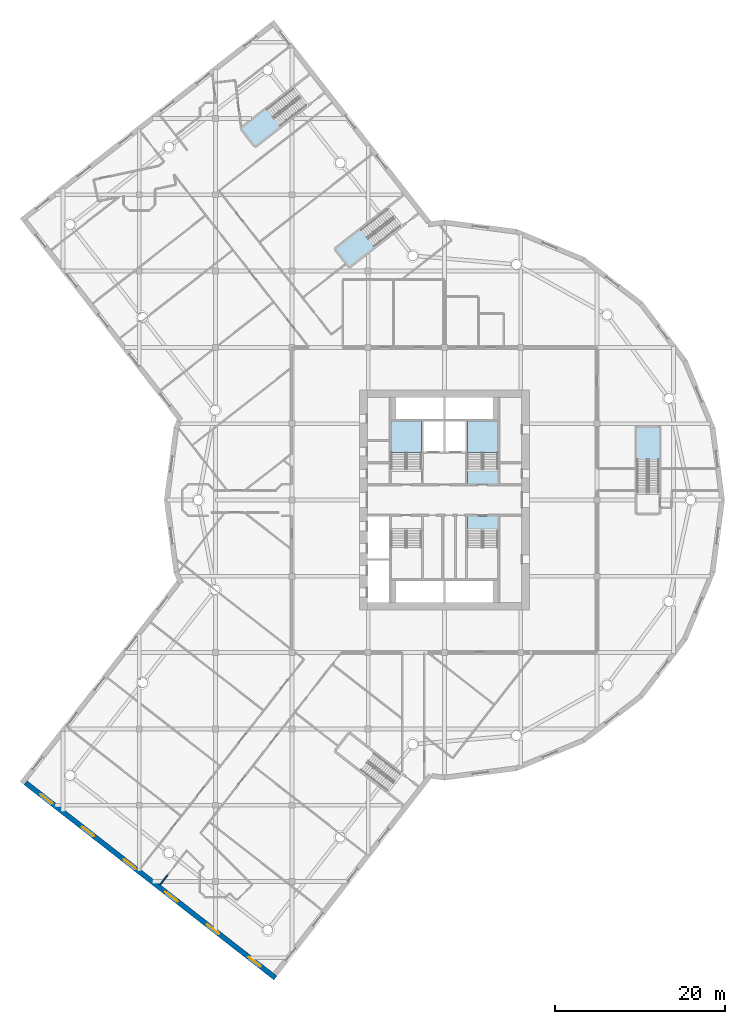
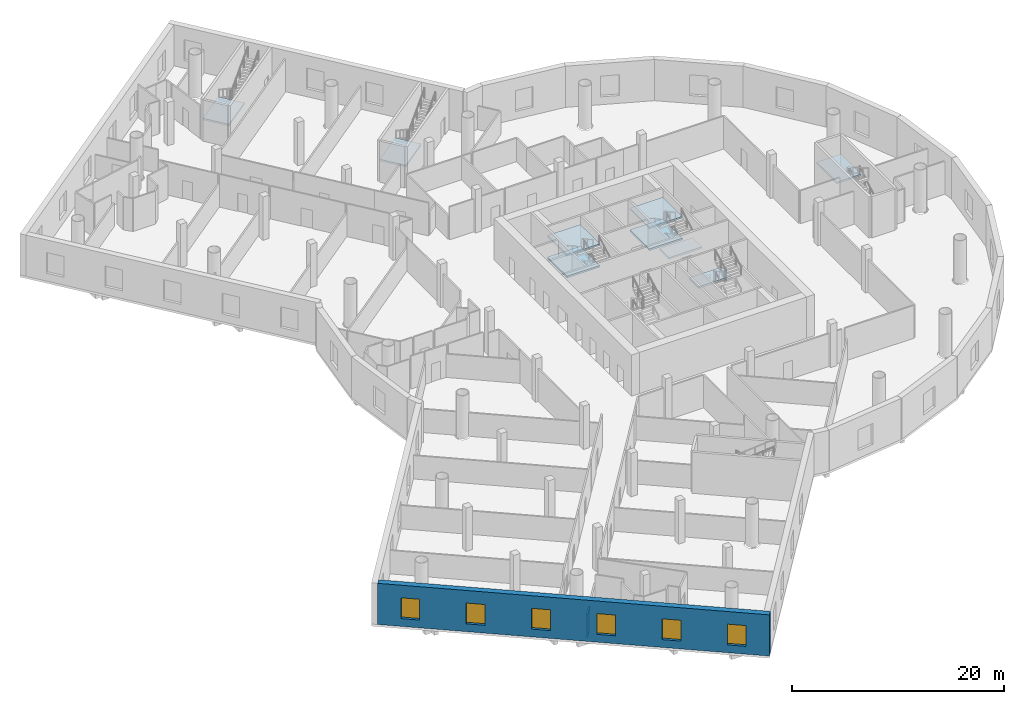
# One storey, part 4 of 22: 9 slabs, 6 windows, 2 walls, 6 openings, 6 elements without a shape of their own.
"""IFC4 building model written with IfcOpenShell, lengths in metres."""

from ifc_helpers import new_model, si_unit, direction, frame, frame_2d, origin, place, context, subcontext, project, spatial, polyline, rectangle, outline, extrude, material, layer, layer_set, type_object, element, fill, aggregate, save


model = new_model("IFC4")

# Units and contexts
model_context = context("Model", 3, precision=1e-05, world=origin(), true_north=direction((0.0, 1.0)))
body_context = subcontext(model_context, "Body", "Model", "MODEL_VIEW")
ifc_project = project(units=[si_unit("LENGTHUNIT", "METRE"), si_unit("AREAUNIT", "SQUARE_METRE"), si_unit("VOLUMEUNIT", "CUBIC_METRE"), si_unit("PLANEANGLEUNIT", "RADIAN"), si_unit("MASSUNIT", "GRAM", prefix="KILO")], contexts=[model_context])

# Site, building, storey
site_placement = place(None, origin())
site = spatial("IfcSite", under=ifc_project, at=site_placement, CompositionType="ELEMENT")
building_placement = place(site_placement, origin())
building = spatial("IfcBuilding", under=site, at=building_placement, Name="Tarsis Ring Headquarters", CompositionType="ELEMENT")
storey_placement = place(building_placement, frame((0.0, 0.0, 25.0)))
storey = spatial("IfcBuildingStorey", under=building, at=storey_placement, Name="L04", CompositionType="ELEMENT", Elevation=25.0)

# Stair, slabs
ifc_material_1 = material(Name="Core stair 1760")
stair_type_1 = type_object("IfcStairType", Name="Core stair 1760", PredefinedType="HALF_TURN_STAIR", material=ifc_material_1)
stair_1_placement = place(storey_placement, origin())
stair_1 = element("IfcStair", 1, at=stair_1_placement, inside=storey, type_object=stair_type_1, Name="L04 Firefighting stair", PredefinedType="HALF_TURN_STAIR")
ifc_material_2 = material(Name="Concrete C40/50", Category="concrete")
ifc_layer_1 = layer(ifc_material_2, 0.199951171875)
ifc_layer_set_1 = layer_set([ifc_layer_1], Name="Core stair landing 200")
slab_type_1 = type_object("IfcSlabType", Name="Core stair landing 200", PredefinedType="LANDING", material=ifc_layer_set_1)
slab_1_placement = place(storey_placement, frame((0.0, 0.0, 1.050048828125)))
slab_1 = element("IfcSlab", 2, at=slab_1_placement, type_object=slab_type_1, Name="Stair ST1 landing 1", PredefinedType="LANDING", context=body_context, shape_type="SweptSolid", body=[
    extrude(outline(polyline([(-2.699951171875, 5.6201171875), (-2.699951171875, 9.300048828125), (-6.300048828125, 9.300048828125), (-6.300048828125, 5.6201171875), (-2.699951171875, 5.6201171875)])), origin(), (0.0, 0.0, 1.0), 0.199951171875),
])
slab_2_placement = place(storey_placement, frame((0.0, 0.0, 3.550048828125)))
slab_2 = element("IfcSlab", 3, at=slab_2_placement, type_object=slab_type_1, Name="Stair ST1 landing 3", PredefinedType="LANDING", context=body_context, shape_type="SweptSolid", body=[
    extrude(outline(polyline([(-2.699951171875, 5.6201171875), (-2.699951171875, 9.300048828125), (-6.300048828125, 9.300048828125), (-6.300048828125, 5.6201171875), (-2.699951171875, 5.6201171875)])), origin(), (0.0, 0.0, 1.0), 0.199951171875),
])
aggregate(stair_1, [slab_1, slab_2])

stair_2_placement = place(storey_placement, origin())
stair_2 = element("IfcStair", 4, at=stair_2_placement, inside=storey, type_object=stair_type_1, Name="L04 Exit stair B", PredefinedType="HALF_TURN_STAIR")
slab_3_placement = place(storey_placement, frame((0.0, 0.0, 1.050048828125)))
slab_3 = element("IfcSlab", 5, at=slab_3_placement, type_object=slab_type_1, Name="Stair ST2 landing 1", PredefinedType="LANDING", context=body_context, shape_type="SweptSolid", body=[
    extrude(outline(polyline([(6.300048828125, 5.6201171875), (6.300048828125, 9.300048828125), (2.699951171875, 9.300048828125), (2.699951171875, 5.6201171875), (6.300048828125, 5.6201171875)])), origin(), (0.0, 0.0, 1.0), 0.199951171875),
])
slab_4_placement = place(storey_placement, frame((0.0, 0.0, 2.300048828125)))
slab_4 = element("IfcSlab", 6, at=slab_4_placement, type_object=slab_type_1, Name="Stair ST2 landing 2", PredefinedType="LANDING", context=body_context, shape_type="SweptSolid", body=[
    extrude(outline(polyline([(6.300048828125, 1.89990234375), (6.300048828125, 3.659912109375), (2.699951171875, 3.659912109375), (2.699951171875, 1.89990234375), (6.300048828125, 1.89990234375)])), origin(), (0.0, 0.0, 1.0), 0.199951171875),
])
slab_5_placement = place(storey_placement, frame((0.0, 0.0, 3.550048828125)))
slab_5 = element("IfcSlab", 7, at=slab_5_placement, type_object=slab_type_1, Name="Stair ST2 landing 3", PredefinedType="LANDING", context=body_context, shape_type="SweptSolid", body=[
    extrude(outline(polyline([(6.300048828125, 5.6201171875), (6.300048828125, 9.300048828125), (2.699951171875, 9.300048828125), (2.699951171875, 5.6201171875), (6.300048828125, 5.6201171875)])), origin(), (0.0, 0.0, 1.0), 0.199951171875),
])
aggregate(stair_2, [slab_3, slab_4, slab_5])

# Stair, slab
stair_3_placement = place(storey_placement, origin())
stair_3 = element("IfcStair", 8, at=stair_3_placement, inside=storey, type_object=stair_type_1, Name="L04 Exit stair D", PredefinedType="HALF_TURN_STAIR")
slab_6_placement = place(storey_placement, frame((0.0, 0.0, 2.300048828125)))
slab_6 = element("IfcSlab", 9, at=slab_6_placement, type_object=slab_type_1, Name="Stair ST4 landing 2", PredefinedType="LANDING", context=body_context, shape_type="SweptSolid", body=[
    extrude(outline(polyline([(2.699951171875, -1.89990234375), (2.699951171875, -3.659912109375), (6.300048828125, -3.659912109375), (6.300048828125, -1.89990234375), (2.699951171875, -1.89990234375)])), origin(), (0.0, 0.0, 1.0), 0.199951171875),
])
aggregate(stair_3, [slab_6])

stair_type_2 = type_object("IfcStairType", Name="PO-ST", PredefinedType="HALF_TURN_STAIR", material=ifc_material_2)
stair_4_placement = place(storey_placement, origin())
stair_4 = element("IfcStair", 10, at=stair_4_placement, inside=storey, type_object=stair_type_2, Name="L04 Podium stair", PredefinedType="HALF_TURN_STAIR")
ifc_layer_2 = layer(ifc_material_2, 0.199951171875)
ifc_layer_set_2 = layer_set([ifc_layer_2], Name="PO-STL")
slab_type_2 = type_object("IfcSlabType", Name="PO-STL", PredefinedType="LANDING", material=ifc_layer_set_2)
slab_7_placement = place(storey_placement, frame((0.0, 0.0, 2.300048828125)))
slab_7 = element("IfcSlab", 11, at=slab_7_placement, type_object=slab_type_2, Name="Stair PS1 landing 1", PredefinedType="LANDING", context=body_context, shape_type="SweptSolid", body=[
    extrude(outline(polyline([(25.3349609375, 4.739990234375), (25.3349609375, 8.580078125), (22.6650390625, 8.580078125), (22.6650390625, 4.739990234375), (25.3349609375, 4.739990234375)])), origin(), (0.0, 0.0, 1.0), 0.199951171875),
])
aggregate(stair_4, [slab_7])

stair_5_placement = place(storey_placement, origin())
stair_5 = element("IfcStair", 12, at=stair_5_placement, inside=storey, type_object=stair_type_2, Name="L04 Podium stair", PredefinedType="HALF_TURN_STAIR")
slab_8_placement = place(storey_placement, frame((0.0, 0.0, 2.300048828125)))
slab_8 = element("IfcSlab", 13, at=slab_8_placement, type_object=slab_type_2, Name="Stair PS3 landing 1", PredefinedType="LANDING", context=body_context, shape_type="SweptSolid", body=[
    extrude(outline(polyline([(-9.836669921875, 31.978271484375), (-12.86376953125, 29.615234375), (-11.220703125, 27.5107421875), (-8.19384765625, 29.87353515625), (-9.836669921875, 31.978271484375)])), origin(), (0.0, 0.0, 1.0), 0.199951171875),
])
aggregate(stair_5, [slab_8])

stair_6_placement = place(storey_placement, origin())
stair_6 = element("IfcStair", 14, at=stair_6_placement, inside=storey, type_object=stair_type_2, Name="L04 Podium stair", PredefinedType="HALF_TURN_STAIR")
slab_9_placement = place(storey_placement, frame((0.0, 0.0, 2.300048828125)))
slab_9 = element("IfcSlab", 15, at=slab_9_placement, type_object=slab_type_2, Name="Stair PS4 landing 1", PredefinedType="LANDING", context=body_context, shape_type="SweptSolid", body=[
    extrude(outline(polyline([(-20.936767578125, 46.1982421875), (-23.963623046875, 43.83544921875), (-22.32080078125, 41.730712890625), (-19.293701171875, 44.093505859375), (-20.936767578125, 46.1982421875)])), origin(), (0.0, 0.0, 1.0), 0.199951171875),
])
aggregate(stair_6, [slab_9])

# Wall
ifc_material_3 = material(Name="Plasterboard partition")
ifc_layer_3 = layer(ifc_material_3, 0.14990234375)
ifc_layer_set_3 = layer_set([ifc_layer_3], Name="PO-PW150")
wall_type_1 = type_object("IfcWallType", Name="PO-PW150", PredefinedType="PARTITIONING", material=ifc_layer_set_3)
wall_1_placement = place(storey_placement, frame((-32.676513671875, -44.263671875, 0.0), z_axis=(0.0, 0.0, 1.0), x_axis=(-0.616805858005, -0.787115324162, 0.0)))
element("IfcWall", 16, at=wall_1_placement, inside=storey, type_object=wall_type_1, Name="L04 partition wall 126", PredefinedType="PARTITIONING", context=body_context, shape_type="SweptSolid", body=[
    extrude(rectangle(XDim=1.40185546875, YDim=0.14990234375, at=frame_2d((0.700927734375, 0.0))), origin(), (0.0, 0.0, 1.0), 2.699951171875),
])

# Wall, openings, windows
ifc_material_4 = material(Name="Concrete C60/75", Category="concrete")
ifc_layer_4 = layer(ifc_material_4, 0.60009765625)
ifc_layer_set_4 = layer_set([ifc_layer_4], Name="PO-W600")
wall_type_2 = type_object("IfcWallType", Name="PO-W600", PredefinedType="SOLIDWALL", material=ifc_layer_set_4)
wall_2_placement = place(storey_placement, frame((-49.407470703125, -33.35205078125, 0.0), z_axis=(0.0, 0.0, 1.0), x_axis=(0.788012893483, -0.615658736399, 0.0)))
wall_2 = element("IfcWall", 17, at=wall_2_placement, inside=storey, type_object=wall_type_2, Name="L04 external wall 7", PredefinedType="SOLIDWALL", context=body_context, shape_type="SweptSolid", body=[
    extrude(rectangle(XDim=37.39990234375, YDim=0.60009765625, at=frame_2d((18.699951171875, 0.0))), origin(), (0.0, 0.0, 1.0), 4.75),
])
opening_1_placement = place(wall_2_placement, frame((2.216552734375, 0.0, 0.89990234375)))
opening_1 = element("IfcOpeningElement", 18, at=opening_1_placement, cuts=wall_2, Name="Opening PO-WN1", PredefinedType="OPENING", context=body_context, shape_type="SweptSolid", body=[
    extrude(rectangle(XDim=1.800048828125, YDim=2.39990234375, at=frame_2d((0.89990234375, 1.199951171875))), frame((0.0, 0.31005859375, 0.0), z_axis=(0.0, -1.0, 0.0), x_axis=(1.0, 0.0, 0.0)), (0.0, 0.0, 1.0), 0.6201171875),
])
opening_2_placement = place(wall_2_placement, frame((8.449951171875, 0.0, 0.89990234375)))
opening_2 = element("IfcOpeningElement", 19, at=opening_2_placement, cuts=wall_2, Name="Opening PO-WN1", PredefinedType="OPENING", context=body_context, shape_type="SweptSolid", body=[
    extrude(rectangle(XDim=1.800048828125, YDim=2.39990234375, at=frame_2d((0.89990234375, 1.199951171875))), frame((0.0, 0.31005859375, 0.0), z_axis=(0.0, -1.0, 0.0), x_axis=(1.0, 0.0, 0.0)), (0.0, 0.0, 1.0), 0.6201171875),
])
opening_3_placement = place(wall_2_placement, frame((14.683349609375, 0.0, 0.89990234375)))
opening_3 = element("IfcOpeningElement", 20, at=opening_3_placement, cuts=wall_2, Name="Opening PO-WN1", PredefinedType="OPENING", context=body_context, shape_type="SweptSolid", body=[
    extrude(rectangle(XDim=1.800048828125, YDim=2.39990234375, at=frame_2d((0.89990234375, 1.199951171875))), frame((0.0, 0.31005859375, 0.0), z_axis=(0.0, -1.0, 0.0), x_axis=(1.0, 0.0, 0.0)), (0.0, 0.0, 1.0), 0.6201171875),
])
opening_4_placement = place(wall_2_placement, frame((20.916748046875, 0.0, 0.89990234375)))
opening_4 = element("IfcOpeningElement", 21, at=opening_4_placement, cuts=wall_2, Name="Opening PO-WN1", PredefinedType="OPENING", context=body_context, shape_type="SweptSolid", body=[
    extrude(rectangle(XDim=1.800048828125, YDim=2.39990234375, at=frame_2d((0.89990234375, 1.199951171875))), frame((0.0, 0.31005859375, 0.0), z_axis=(0.0, -1.0, 0.0), x_axis=(1.0, 0.0, 0.0)), (0.0, 0.0, 1.0), 0.6201171875),
])
opening_5_placement = place(wall_2_placement, frame((27.14990234375, 0.0, 0.89990234375)))
opening_5 = element("IfcOpeningElement", 22, at=opening_5_placement, cuts=wall_2, Name="Opening PO-WN1", PredefinedType="OPENING", context=body_context, shape_type="SweptSolid", body=[
    extrude(rectangle(XDim=1.800048828125, YDim=2.39990234375, at=frame_2d((0.89990234375, 1.199951171875))), frame((0.0, 0.31005859375, 0.0), z_axis=(0.0, -1.0, 0.0), x_axis=(1.0, 0.0, 0.0)), (0.0, 0.0, 1.0), 0.6201171875),
])
opening_6_placement = place(wall_2_placement, frame((33.38330078125, 0.0, 0.89990234375)))
opening_6 = element("IfcOpeningElement", 23, at=opening_6_placement, cuts=wall_2, Name="Opening PO-WN1", PredefinedType="OPENING", context=body_context, shape_type="SweptSolid", body=[
    extrude(rectangle(XDim=1.800048828125, YDim=2.39990234375, at=frame_2d((0.89990234375, 1.199951171875))), frame((0.0, 0.31005859375, 0.0), z_axis=(0.0, -1.0, 0.0), x_axis=(1.0, 0.0, 0.0)), (0.0, 0.0, 1.0), 0.6201171875),
])
ifc_material_5 = material(Name="Double glazing", Category="glass")
window_type = type_object("IfcWindowType", Name="PO-WN1800", PartitioningType="SINGLE_PANEL", PredefinedType="WINDOW", material=ifc_material_5)
window_1_placement = place(opening_1_placement, origin())
window_1 = element("IfcWindow", 24, at=window_1_placement, inside=storey, type_object=window_type, Name="L04 window 7.1", OverallHeight=2.39990234375, OverallWidth=1.800048828125, PartitioningType="SINGLE_PANEL", PredefinedType="WINDOW", context=body_context, shape_type="SweptSolid", body=[
    extrude(rectangle(XDim=1.800048828125, YDim=2.39990234375, at=frame_2d((0.89990234375, 1.199951171875))), frame((0.0, 0.030029296875, 0.0), z_axis=(0.0, -1.0, 0.0), x_axis=(1.0, 0.0, 0.0)), (0.0, 0.0, 1.0), 0.06005859375),
])
fill(opening_1, window_1)
window_2_placement = place(opening_2_placement, origin())
window_2 = element("IfcWindow", 25, at=window_2_placement, inside=storey, type_object=window_type, Name="L04 window 7.2", OverallHeight=2.39990234375, OverallWidth=1.800048828125, PartitioningType="SINGLE_PANEL", PredefinedType="WINDOW", context=body_context, shape_type="SweptSolid", body=[
    extrude(rectangle(XDim=1.800048828125, YDim=2.39990234375, at=frame_2d((0.89990234375, 1.199951171875))), frame((0.0, 0.030029296875, 0.0), z_axis=(0.0, -1.0, 0.0), x_axis=(1.0, 0.0, 0.0)), (0.0, 0.0, 1.0), 0.06005859375),
])
fill(opening_2, window_2)
window_3_placement = place(opening_3_placement, origin())
window_3 = element("IfcWindow", 26, at=window_3_placement, inside=storey, type_object=window_type, Name="L04 window 7.3", OverallHeight=2.39990234375, OverallWidth=1.800048828125, PartitioningType="SINGLE_PANEL", PredefinedType="WINDOW", context=body_context, shape_type="SweptSolid", body=[
    extrude(rectangle(XDim=1.800048828125, YDim=2.39990234375, at=frame_2d((0.89990234375, 1.199951171875))), frame((0.0, 0.030029296875, 0.0), z_axis=(0.0, -1.0, 0.0), x_axis=(1.0, 0.0, 0.0)), (0.0, 0.0, 1.0), 0.06005859375),
])
fill(opening_3, window_3)
window_4_placement = place(opening_4_placement, origin())
window_4 = element("IfcWindow", 27, at=window_4_placement, inside=storey, type_object=window_type, Name="L04 window 7.4", OverallHeight=2.39990234375, OverallWidth=1.800048828125, PartitioningType="SINGLE_PANEL", PredefinedType="WINDOW", context=body_context, shape_type="SweptSolid", body=[
    extrude(rectangle(XDim=1.800048828125, YDim=2.39990234375, at=frame_2d((0.89990234375, 1.199951171875))), frame((0.0, 0.030029296875, 0.0), z_axis=(0.0, -1.0, 0.0), x_axis=(1.0, 0.0, 0.0)), (0.0, 0.0, 1.0), 0.06005859375),
])
fill(opening_4, window_4)
window_5_placement = place(opening_5_placement, origin())
window_5 = element("IfcWindow", 28, at=window_5_placement, inside=storey, type_object=window_type, Name="L04 window 7.5", OverallHeight=2.39990234375, OverallWidth=1.800048828125, PartitioningType="SINGLE_PANEL", PredefinedType="WINDOW", context=body_context, shape_type="SweptSolid", body=[
    extrude(rectangle(XDim=1.800048828125, YDim=2.39990234375, at=frame_2d((0.89990234375, 1.199951171875))), frame((0.0, 0.030029296875, 0.0), z_axis=(0.0, -1.0, 0.0), x_axis=(1.0, 0.0, 0.0)), (0.0, 0.0, 1.0), 0.06005859375),
])
fill(opening_5, window_5)
window_6_placement = place(opening_6_placement, origin())
window_6 = element("IfcWindow", 29, at=window_6_placement, inside=storey, type_object=window_type, Name="L04 window 7.6", OverallHeight=2.39990234375, OverallWidth=1.800048828125, PartitioningType="SINGLE_PANEL", PredefinedType="WINDOW", context=body_context, shape_type="SweptSolid", body=[
    extrude(rectangle(XDim=1.800048828125, YDim=2.39990234375, at=frame_2d((0.89990234375, 1.199951171875))), frame((0.0, 0.030029296875, 0.0), z_axis=(0.0, -1.0, 0.0), x_axis=(1.0, 0.0, 0.0)), (0.0, 0.0, 1.0), 0.06005859375),
])
fill(opening_6, window_6)

save(model, "model.ifc")
